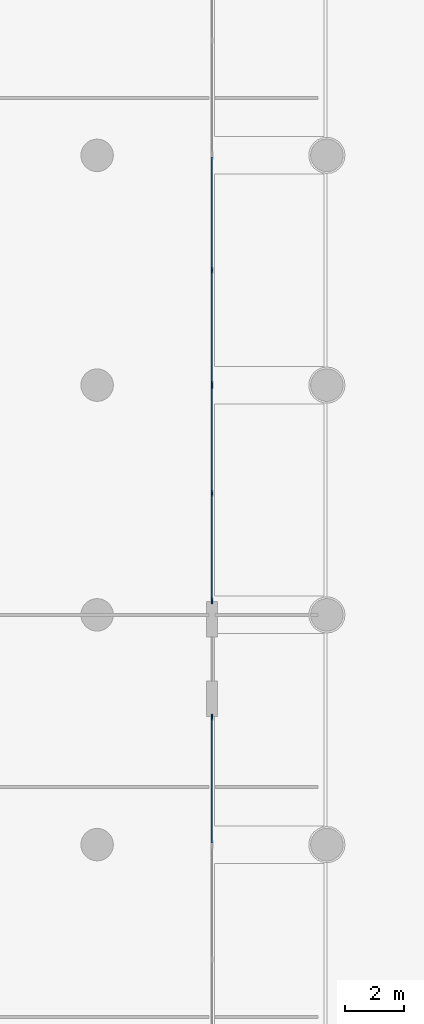
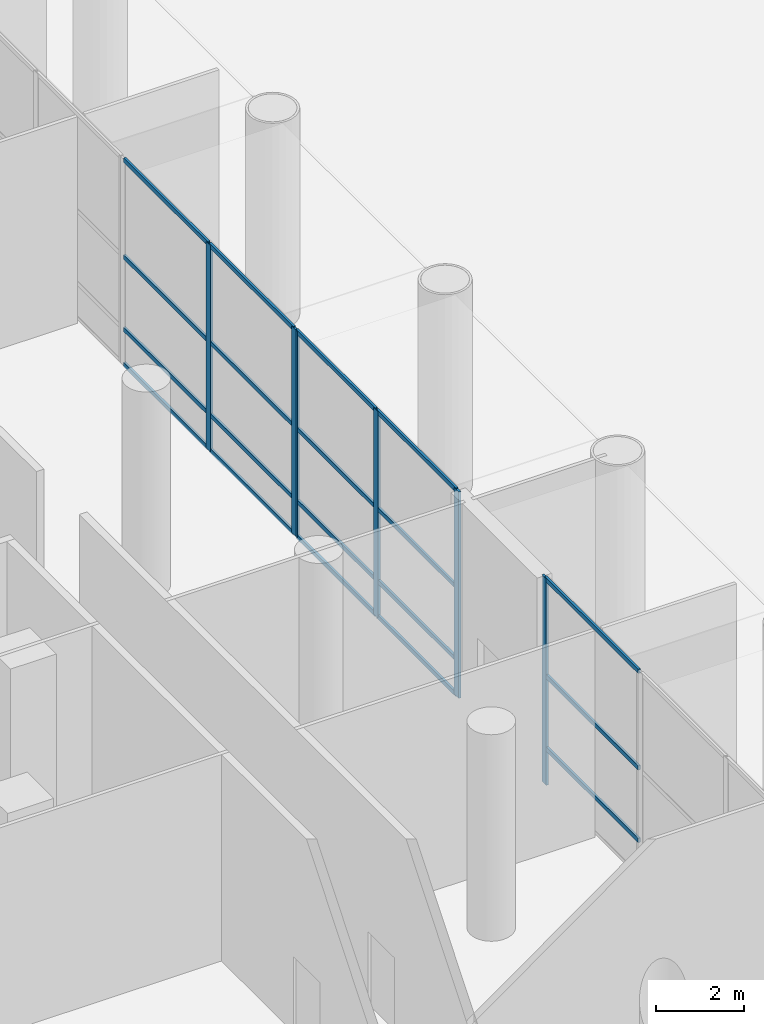
# One storey, part 5 of 32: 25 members, 3 elements without a shape of their own.
"""IFC4 building model written with IfcOpenShell, lengths in metres."""

from ifc_helpers import new_model, si_unit, direction, frame, origin, origin_2d, place, context, subcontext, project, spatial, rectangle, extrude, material, material_profile, profile_set, type_object, element, aggregate, save


model = new_model("IFC4")

# Units and contexts
model_context = context("Model", 3, precision=1e-05, world=origin(), true_north=direction((0.0, 1.0)))
body_context = subcontext(model_context, "Body", "Model", "MODEL_VIEW")
ifc_project = project(units=[si_unit("LENGTHUNIT", "METRE"), si_unit("AREAUNIT", "SQUARE_METRE"), si_unit("VOLUMEUNIT", "CUBIC_METRE"), si_unit("PLANEANGLEUNIT", "RADIAN"), si_unit("MASSUNIT", "GRAM", prefix="KILO")], contexts=[model_context])

# Site, building, storey
site_placement = place(None, origin())
site = spatial("IfcSite", under=ifc_project, at=site_placement, CompositionType="ELEMENT")
building_placement = place(site_placement, origin())
building = spatial("IfcBuilding", under=site, at=building_placement, Name="Ludao Terraces", CompositionType="ELEMENT")
storey_placement = place(building_placement, origin())
storey = spatial("IfcBuildingStorey", under=building, at=storey_placement, Name="L00", CompositionType="ELEMENT", Elevation=0.0)

# Curtain wall, member
ifc_material_1 = material(Name="Aluminium curtain wall with fritted glass", Category="aluminium")
curtain_wall_type = type_object("IfcCurtainWallType", Name="ENV CW2 entrance glazing", PredefinedType="NOTDEFINED", material=ifc_material_1)
curtain_wall_1_placement = place(storey_placement, origin())
curtain_wall_1 = element("IfcCurtainWall", 1, at=curtain_wall_1_placement, inside=storey, type_object=curtain_wall_type, Name="CW-L00-E3", PredefinedType="NOTDEFINED")
ifc_material_2 = material(Name="Aluminium 6063-T6", Category="aluminium")
ifc_material_profile_1 = material_profile(ifc_material_2, rectangle(XDim=0.06005859375, YDim=0.199951171875, at=origin_2d()), Name="60 X 200")
ifc_profile_set_1 = profile_set([ifc_material_profile_1], Name="Aluminium 6063-T6")
member_type_1 = type_object("IfcMemberType", Name="ENV CW2 mullion 60x200", PredefinedType="MULLION", material=ifc_profile_set_1)
member_1_placement = place(storey_placement, frame((120.10009765625, 45.919921875, 0.0), z_axis=(0.0, 0.0, 1.0), x_axis=(-1.0, 0.0, 0.0)))
member_1 = element("IfcMember", 2, at=member_1_placement, type_object=member_type_1, Name="CW2 mullion 2", PredefinedType="MULLION", context=body_context, shape_type="SweptSolid", body=[
    extrude(rectangle(XDim=0.06005859375, YDim=0.199951171875, at=origin_2d()), origin(), (0.0, 0.0, 1.0), 5.699951171875),
])

# Curtain wall, members
curtain_wall_2_placement = place(storey_placement, origin())
curtain_wall_2 = element("IfcCurtainWall", 3, at=curtain_wall_2_placement, inside=storey, type_object=curtain_wall_type, Name="CW-L00-E5", PredefinedType="NOTDEFINED")
member_2_placement = place(storey_placement, frame((120.10009765625, 49.8798828125, 0.0), z_axis=(0.0, 0.0, 1.0), x_axis=(-1.0, 0.0, 0.0)))
member_2 = element("IfcMember", 4, at=member_2_placement, type_object=member_type_1, Name="CW2 mullion 1", PredefinedType="MULLION", context=body_context, shape_type="SweptSolid", body=[
    extrude(rectangle(XDim=0.06005859375, YDim=0.199951171875, at=origin_2d()), origin(), (0.0, 0.0, 1.0), 5.699951171875),
])
member_3_placement = place(storey_placement, frame((120.10009765625, 53.52490234375, 0.0), z_axis=(0.0, 0.0, 1.0), x_axis=(-1.0, 0.0, 0.0)))
member_3 = element("IfcMember", 5, at=member_3_placement, type_object=member_type_1, Name="CW2 mullion 2", PredefinedType="MULLION", context=body_context, shape_type="SweptSolid", body=[
    extrude(rectangle(XDim=0.06005859375, YDim=0.199951171875, at=origin_2d()), origin(), (0.0, 0.0, 1.0), 5.699951171875),
])
member_4_placement = place(storey_placement, frame((120.10009765625, 57.169921875, 0.0), z_axis=(0.0, 0.0, 1.0), x_axis=(-1.0, 0.0, 0.0)))
member_4 = element("IfcMember", 6, at=member_4_placement, type_object=member_type_1, Name="CW2 mullion 3", PredefinedType="MULLION", context=body_context, shape_type="SweptSolid", body=[
    extrude(rectangle(XDim=0.06005859375, YDim=0.199951171875, at=origin_2d()), origin(), (0.0, 0.0, 1.0), 5.699951171875),
])

curtain_wall_3_placement = place(storey_placement, origin())
curtain_wall_3 = element("IfcCurtainWall", 7, at=curtain_wall_3_placement, inside=storey, type_object=curtain_wall_type, Name="CW-L00-E6", PredefinedType="NOTDEFINED")
member_5_placement = place(storey_placement, frame((120.10009765625, 57.22998046875, 0.0), z_axis=(0.0, 0.0, 1.0), x_axis=(-1.0, 0.0, 0.0)))
member_5 = element("IfcMember", 8, at=member_5_placement, type_object=member_type_1, Name="CW2 mullion 1", PredefinedType="MULLION", context=body_context, shape_type="SweptSolid", body=[
    extrude(rectangle(XDim=0.06005859375, YDim=0.199951171875, at=origin_2d()), origin(), (0.0, 0.0, 1.0), 5.699951171875),
])
member_6_placement = place(storey_placement, frame((120.10009765625, 61.10009765625, 0.0), z_axis=(0.0, 0.0, 1.0), x_axis=(-1.0, 0.0, 0.0)))
member_6 = element("IfcMember", 9, at=member_6_placement, type_object=member_type_1, Name="CW2 mullion 2", PredefinedType="MULLION", context=body_context, shape_type="SweptSolid", body=[
    extrude(rectangle(XDim=0.06005859375, YDim=0.199951171875, at=origin_2d()), origin(), (0.0, 0.0, 1.0), 5.699951171875),
])

# Member
ifc_material_profile_2 = material_profile(ifc_material_2, rectangle(XDim=0.06005859375, YDim=0.1201171875, at=origin_2d()), Name="60 X 120")
ifc_profile_set_2 = profile_set([ifc_material_profile_2], Name="Aluminium 6063-T6")
member_type_2 = type_object("IfcMemberType", Name="ENV CW2 transom 60x120", PredefinedType="USERDEFINED", material=ifc_profile_set_2)
member_7_placement = place(storey_placement, frame((120.10009765625, 41.659912109375, 1.0), z_axis=(0.0, 1.0, 0.0), x_axis=(-1.0, 0.0, 0.0)))
member_7 = element("IfcMember", 10, at=member_7_placement, type_object=member_type_2, Name="CW2 transom 1.2", ObjectType="TRANSOM", PredefinedType="USERDEFINED", context=body_context, shape_type="SweptSolid", body=[
    extrude(rectangle(XDim=0.06005859375, YDim=0.1201171875, at=origin_2d()), origin(), (0.0, 0.0, 1.0), 4.22998046875),
])

member_8_placement = place(storey_placement, frame((120.10009765625, 41.659912109375, 3.0), z_axis=(0.0, 1.0, 0.0), x_axis=(-1.0, 0.0, 0.0)))
member_8 = element("IfcMember", 11, at=member_8_placement, type_object=member_type_2, Name="CW2 transom 1.3", ObjectType="TRANSOM", PredefinedType="USERDEFINED", context=body_context, shape_type="SweptSolid", body=[
    extrude(rectangle(XDim=0.06005859375, YDim=0.1201171875, at=origin_2d()), origin(), (0.0, 0.0, 1.0), 4.22998046875),
])

member_9_placement = place(storey_placement, frame((120.10009765625, 41.659912109375, 5.669921875), z_axis=(0.0, 1.0, 0.0), x_axis=(-1.0, 0.0, 0.0)))
member_9 = element("IfcMember", 12, at=member_9_placement, type_object=member_type_2, Name="CW2 transom 1.4", ObjectType="TRANSOM", PredefinedType="USERDEFINED", context=body_context, shape_type="SweptSolid", body=[
    extrude(rectangle(XDim=0.06005859375, YDim=0.1201171875, at=origin_2d()), origin(), (0.0, 0.0, 1.0), 4.22998046875),
])

aggregate(curtain_wall_1, [member_1, member_7, member_8, member_9])

member_10_placement = place(storey_placement, frame((120.10009765625, 49.909912109375, 0.030029296875), z_axis=(0.0, 1.0, 0.0), x_axis=(-1.0, 0.0, 0.0)))
member_10 = element("IfcMember", 13, at=member_10_placement, type_object=member_type_2, Name="CW2 transom 1.1", ObjectType="TRANSOM", PredefinedType="USERDEFINED", context=body_context, shape_type="SweptSolid", body=[
    extrude(rectangle(XDim=0.06005859375, YDim=0.1201171875, at=origin_2d()), origin(), (0.0, 0.0, 1.0), 3.585205078125),
])

member_11_placement = place(storey_placement, frame((120.10009765625, 49.909912109375, 1.0), z_axis=(0.0, 1.0, 0.0), x_axis=(-1.0, 0.0, 0.0)))
member_11 = element("IfcMember", 14, at=member_11_placement, type_object=member_type_2, Name="CW2 transom 1.2", ObjectType="TRANSOM", PredefinedType="USERDEFINED", context=body_context, shape_type="SweptSolid", body=[
    extrude(rectangle(XDim=0.06005859375, YDim=0.1201171875, at=origin_2d()), origin(), (0.0, 0.0, 1.0), 3.585205078125),
])

member_12_placement = place(storey_placement, frame((120.10009765625, 49.909912109375, 3.0), z_axis=(0.0, 1.0, 0.0), x_axis=(-1.0, 0.0, 0.0)))
member_12 = element("IfcMember", 15, at=member_12_placement, type_object=member_type_2, Name="CW2 transom 1.3", ObjectType="TRANSOM", PredefinedType="USERDEFINED", context=body_context, shape_type="SweptSolid", body=[
    extrude(rectangle(XDim=0.06005859375, YDim=0.1201171875, at=origin_2d()), origin(), (0.0, 0.0, 1.0), 3.585205078125),
])

member_13_placement = place(storey_placement, frame((120.10009765625, 49.909912109375, 5.669921875), z_axis=(0.0, 1.0, 0.0), x_axis=(-1.0, 0.0, 0.0)))
member_13 = element("IfcMember", 16, at=member_13_placement, type_object=member_type_2, Name="CW2 transom 1.4", ObjectType="TRANSOM", PredefinedType="USERDEFINED", context=body_context, shape_type="SweptSolid", body=[
    extrude(rectangle(XDim=0.06005859375, YDim=0.1201171875, at=origin_2d()), origin(), (0.0, 0.0, 1.0), 3.585205078125),
])

member_14_placement = place(storey_placement, frame((120.10009765625, 53.554931640625, 0.030029296875), z_axis=(0.0, 1.0, 0.0), x_axis=(-1.0, 0.0, 0.0)))
member_14 = element("IfcMember", 17, at=member_14_placement, type_object=member_type_2, Name="CW2 transom 2.1", ObjectType="TRANSOM", PredefinedType="USERDEFINED", context=body_context, shape_type="SweptSolid", body=[
    extrude(rectangle(XDim=0.06005859375, YDim=0.1201171875, at=origin_2d()), origin(), (0.0, 0.0, 1.0), 3.5849609375),
])

member_15_placement = place(storey_placement, frame((120.10009765625, 53.554931640625, 1.0), z_axis=(0.0, 1.0, 0.0), x_axis=(-1.0, 0.0, 0.0)))
member_15 = element("IfcMember", 18, at=member_15_placement, type_object=member_type_2, Name="CW2 transom 2.2", ObjectType="TRANSOM", PredefinedType="USERDEFINED", context=body_context, shape_type="SweptSolid", body=[
    extrude(rectangle(XDim=0.06005859375, YDim=0.1201171875, at=origin_2d()), origin(), (0.0, 0.0, 1.0), 3.5849609375),
])

member_16_placement = place(storey_placement, frame((120.10009765625, 53.554931640625, 3.0), z_axis=(0.0, 1.0, 0.0), x_axis=(-1.0, 0.0, 0.0)))
member_16 = element("IfcMember", 19, at=member_16_placement, type_object=member_type_2, Name="CW2 transom 2.3", ObjectType="TRANSOM", PredefinedType="USERDEFINED", context=body_context, shape_type="SweptSolid", body=[
    extrude(rectangle(XDim=0.06005859375, YDim=0.1201171875, at=origin_2d()), origin(), (0.0, 0.0, 1.0), 3.5849609375),
])

member_17_placement = place(storey_placement, frame((120.10009765625, 53.554931640625, 5.669921875), z_axis=(0.0, 1.0, 0.0), x_axis=(-1.0, 0.0, 0.0)))
member_17 = element("IfcMember", 20, at=member_17_placement, type_object=member_type_2, Name="CW2 transom 2.4", ObjectType="TRANSOM", PredefinedType="USERDEFINED", context=body_context, shape_type="SweptSolid", body=[
    extrude(rectangle(XDim=0.06005859375, YDim=0.1201171875, at=origin_2d()), origin(), (0.0, 0.0, 1.0), 3.5849609375),
])

aggregate(curtain_wall_2, [member_2, member_3, member_4, member_10, member_11, member_12, member_13, member_14, member_15, member_16, member_17])

member_18_placement = place(storey_placement, frame((120.10009765625, 57.260009765625, 0.030029296875), z_axis=(0.0, 1.0, 0.0), x_axis=(-1.0, 0.0, 0.0)))
member_18 = element("IfcMember", 21, at=member_18_placement, type_object=member_type_2, Name="CW2 transom 1.1", ObjectType="TRANSOM", PredefinedType="USERDEFINED", context=body_context, shape_type="SweptSolid", body=[
    extrude(rectangle(XDim=0.06005859375, YDim=0.1201171875, at=origin_2d()), origin(), (0.0, 0.0, 1.0), 3.81005859375),
])

member_19_placement = place(storey_placement, frame((120.10009765625, 57.260009765625, 1.0), z_axis=(0.0, 1.0, 0.0), x_axis=(-1.0, 0.0, 0.0)))
member_19 = element("IfcMember", 22, at=member_19_placement, type_object=member_type_2, Name="CW2 transom 1.2", ObjectType="TRANSOM", PredefinedType="USERDEFINED", context=body_context, shape_type="SweptSolid", body=[
    extrude(rectangle(XDim=0.06005859375, YDim=0.1201171875, at=origin_2d()), origin(), (0.0, 0.0, 1.0), 3.81005859375),
])

member_20_placement = place(storey_placement, frame((120.10009765625, 57.260009765625, 3.0), z_axis=(0.0, 1.0, 0.0), x_axis=(-1.0, 0.0, 0.0)))
member_20 = element("IfcMember", 23, at=member_20_placement, type_object=member_type_2, Name="CW2 transom 1.3", ObjectType="TRANSOM", PredefinedType="USERDEFINED", context=body_context, shape_type="SweptSolid", body=[
    extrude(rectangle(XDim=0.06005859375, YDim=0.1201171875, at=origin_2d()), origin(), (0.0, 0.0, 1.0), 3.81005859375),
])

member_21_placement = place(storey_placement, frame((120.10009765625, 57.260009765625, 5.669921875), z_axis=(0.0, 1.0, 0.0), x_axis=(-1.0, 0.0, 0.0)))
member_21 = element("IfcMember", 24, at=member_21_placement, type_object=member_type_2, Name="CW2 transom 1.4", ObjectType="TRANSOM", PredefinedType="USERDEFINED", context=body_context, shape_type="SweptSolid", body=[
    extrude(rectangle(XDim=0.06005859375, YDim=0.1201171875, at=origin_2d()), origin(), (0.0, 0.0, 1.0), 3.81005859375),
])

member_22_placement = place(storey_placement, frame((120.10009765625, 61.1298828125, 0.030029296875), z_axis=(0.0, 1.0, 0.0), x_axis=(-1.0, 0.0, 0.0)))
member_22 = element("IfcMember", 25, at=member_22_placement, type_object=member_type_2, Name="CW2 transom 2.1", ObjectType="TRANSOM", PredefinedType="USERDEFINED", context=body_context, shape_type="SweptSolid", body=[
    extrude(rectangle(XDim=0.06005859375, YDim=0.1201171875, at=origin_2d()), origin(), (0.0, 0.0, 1.0), 3.81005859375),
])

member_23_placement = place(storey_placement, frame((120.10009765625, 61.1298828125, 1.0), z_axis=(0.0, 1.0, 0.0), x_axis=(-1.0, 0.0, 0.0)))
member_23 = element("IfcMember", 26, at=member_23_placement, type_object=member_type_2, Name="CW2 transom 2.2", ObjectType="TRANSOM", PredefinedType="USERDEFINED", context=body_context, shape_type="SweptSolid", body=[
    extrude(rectangle(XDim=0.06005859375, YDim=0.1201171875, at=origin_2d()), origin(), (0.0, 0.0, 1.0), 3.81005859375),
])

member_24_placement = place(storey_placement, frame((120.10009765625, 61.1298828125, 3.0), z_axis=(0.0, 1.0, 0.0), x_axis=(-1.0, 0.0, 0.0)))
member_24 = element("IfcMember", 27, at=member_24_placement, type_object=member_type_2, Name="CW2 transom 2.3", ObjectType="TRANSOM", PredefinedType="USERDEFINED", context=body_context, shape_type="SweptSolid", body=[
    extrude(rectangle(XDim=0.06005859375, YDim=0.1201171875, at=origin_2d()), origin(), (0.0, 0.0, 1.0), 3.81005859375),
])

member_25_placement = place(storey_placement, frame((120.10009765625, 61.1298828125, 5.669921875), z_axis=(0.0, 1.0, 0.0), x_axis=(-1.0, 0.0, 0.0)))
member_25 = element("IfcMember", 28, at=member_25_placement, type_object=member_type_2, Name="CW2 transom 2.4", ObjectType="TRANSOM", PredefinedType="USERDEFINED", context=body_context, shape_type="SweptSolid", body=[
    extrude(rectangle(XDim=0.06005859375, YDim=0.1201171875, at=origin_2d()), origin(), (0.0, 0.0, 1.0), 3.81005859375),
])

aggregate(curtain_wall_3, [member_5, member_6, member_18, member_19, member_20, member_21, member_22, member_23, member_24, member_25])

save(model, "model.ifc")
